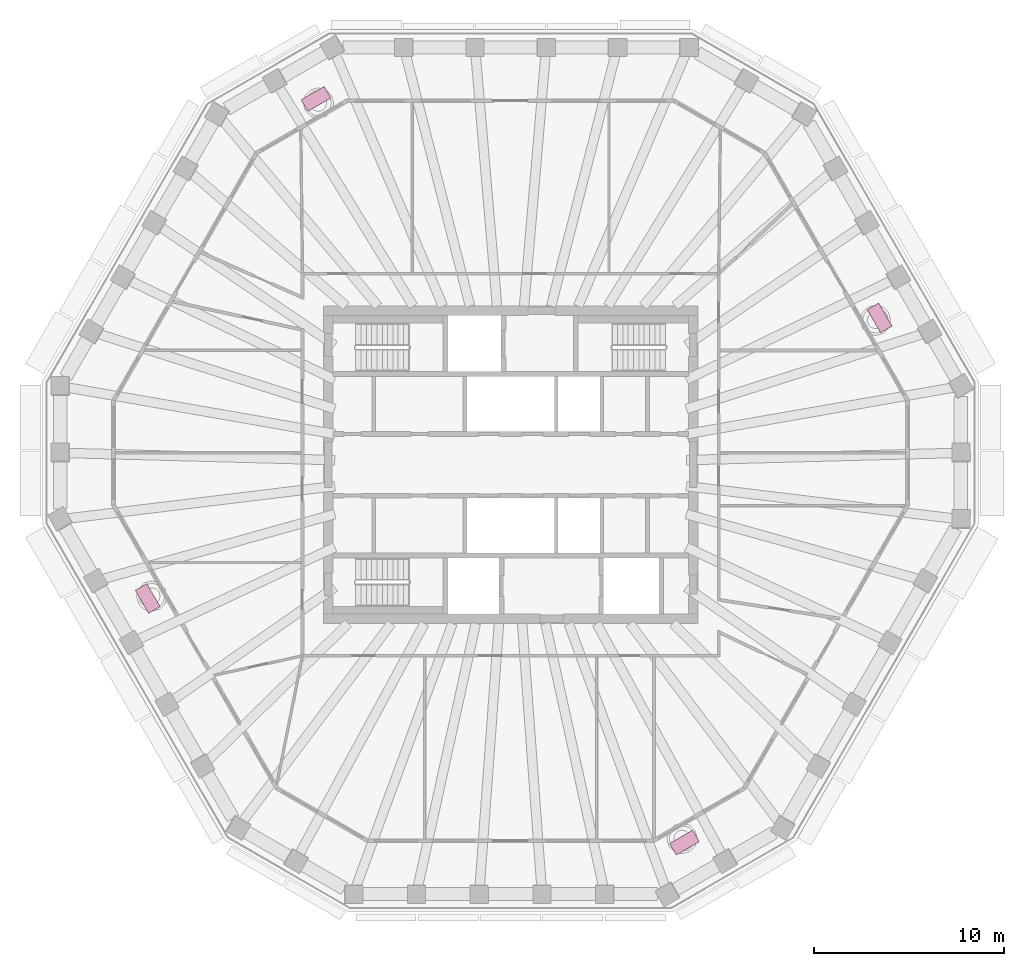
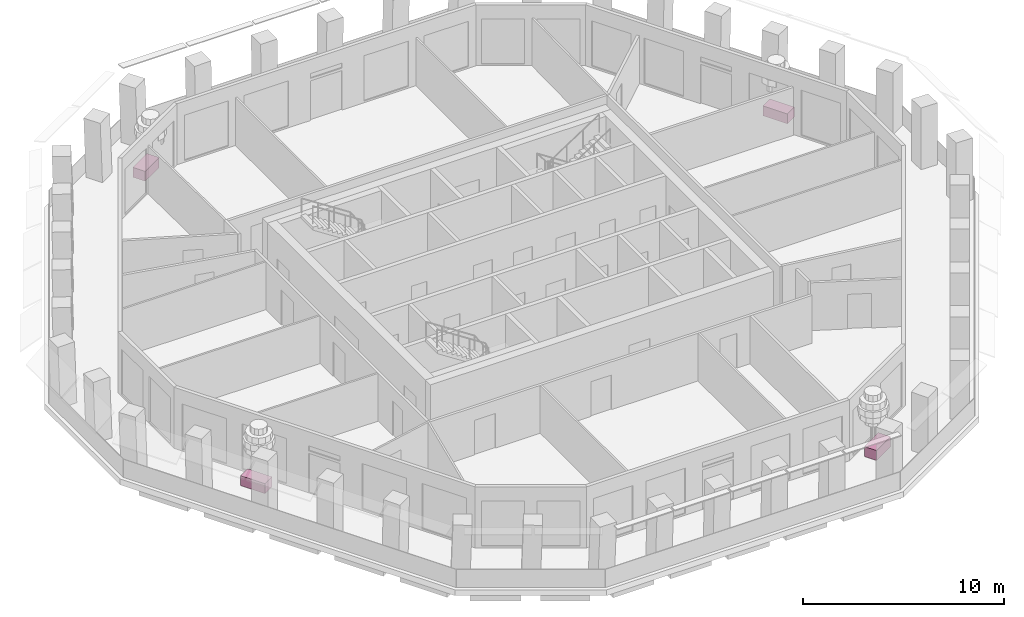
# One storey, part 10 of 11: 4 furniture elements.
"""IFC4 building model written with IfcOpenShell, lengths in metres."""

from ifc_helpers import new_model, si_unit, direction, frame, origin, origin_2d, place, context, subcontext, project, spatial, rectangle, extrude, material, type_object, element, save


model = new_model("IFC4")

# Units and contexts
model_context = context("Model", 3, precision=1e-05, world=origin(), true_north=direction((0.0, 1.0)))
body_context = subcontext(model_context, "Body", "Model", "MODEL_VIEW")
ifc_project = project(units=[si_unit("LENGTHUNIT", "METRE"), si_unit("AREAUNIT", "SQUARE_METRE"), si_unit("VOLUMEUNIT", "CUBIC_METRE"), si_unit("PLANEANGLEUNIT", "RADIAN"), si_unit("MASSUNIT", "GRAM", prefix="KILO")], contexts=[model_context])

# Site, building, storey
site_placement = place(None, origin())
site = spatial("IfcSite", under=ifc_project, at=site_placement, CompositionType="ELEMENT")
building_placement = place(site_placement, origin())
building = spatial("IfcBuilding", under=site, at=building_placement, Name="Frailejon Research Tower", CompositionType="ELEMENT")
storey_placement = place(building_placement, frame((0.0, 0.0, 283.0)))
storey = spatial("IfcBuildingStorey", under=building, at=storey_placement, Name="L62", CompositionType="ELEMENT", Elevation=283.0)

# Furniture
ifc_material = material(Name="Precast concrete C30/37 planter, terracotta", Category="masonry")
furniture_type = type_object("IfcFurnitureType", Name="Loggia planter 1400x700", AssemblyPlace="NOTDEFINED", PredefinedType="USERDEFINED", material=ifc_material)
for number, where, z_axis, x_axis, name in (
    (1, (19.416748046875, 7.726318359375, 0.0), (0.0, 0.0, 1.0), (-0.5, 0.866025403784, 0.0), "Planter L62"),
    (2, (-10.234619140625, 19.248291015625, 0.0), (0.0, 0.0, 1.0), (-0.866025403784, -0.5, 0.0), "Planter L62"),
    (3, (-19.090087890625, -7.034912109375, 0.0), (0.0, 0.0, 1.0), (0.5, -0.866025403784, 0.0), "Planter L62"),
    (4, (9.14599609375, -19.876708984375, 0.0), (0.0, 0.0, 1.0), (0.866025403784, 0.5, 0.0), "Planter L62"),
):
    element("IfcFurniture", number, at=place(storey_placement, frame(where, z_axis=z_axis, x_axis=x_axis)), inside=storey, type_object=furniture_type, Name=name, ObjectType="PLANTER", PredefinedType="USERDEFINED", context=body_context, shape_type="SweptSolid", body=[
        extrude(rectangle(XDim=1.39990234375, YDim=0.699951171875, at=origin_2d()), origin(), (0.0, 0.0, 1.0), 0.60009765625),
    ])

save(model, "model.ifc")
